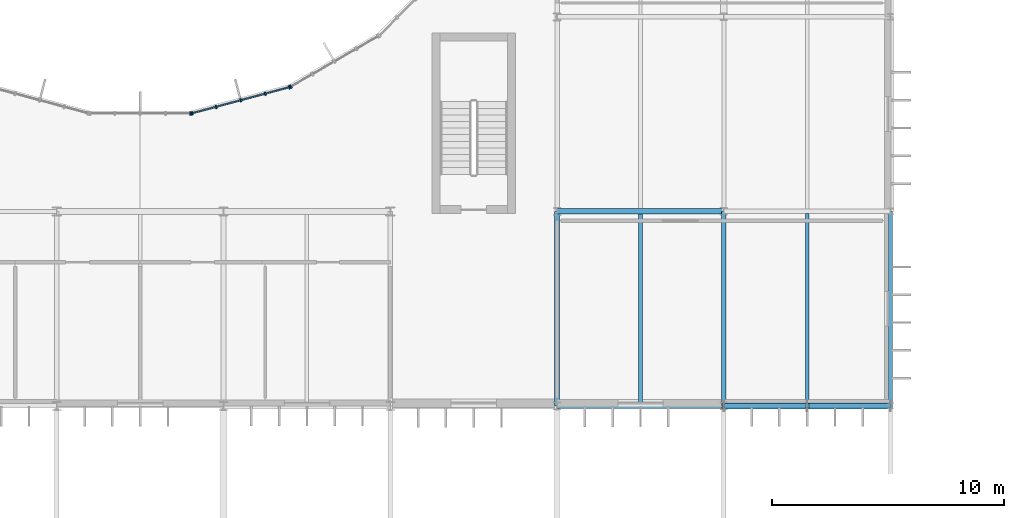
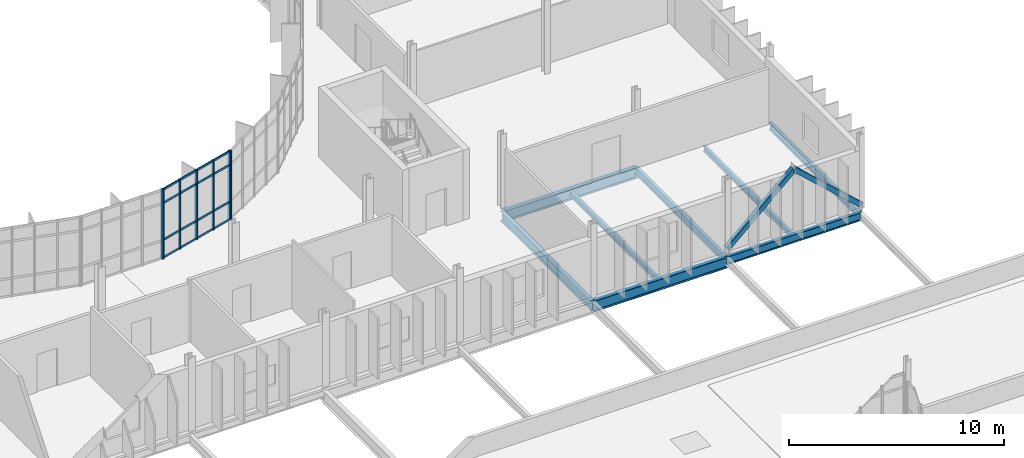
# One storey, part 62 of 119: 13 members, 8 beams, 3 elements without a shape of their own.
"""IFC4 building model written with IfcOpenShell, lengths in metres."""

from ifc_helpers import new_model, si_unit, direction, frame, origin, origin_2d, place, context, subcontext, project, spatial, rectangle, hollow_rectangle, i_section, extrude, material, material_profile, profile_set, type_object, element, aggregate, save


model = new_model("IFC4")

# Units and contexts
model_context = context("Model", 3, precision=1e-05, world=origin(), true_north=direction((0.0, 1.0)))
body_context = subcontext(model_context, "Body", "Model", "MODEL_VIEW")
ifc_project = project(units=[si_unit("LENGTHUNIT", "METRE"), si_unit("AREAUNIT", "SQUARE_METRE"), si_unit("VOLUMEUNIT", "CUBIC_METRE"), si_unit("PLANEANGLEUNIT", "RADIAN"), si_unit("MASSUNIT", "GRAM", prefix="KILO")], contexts=[model_context])

# Site, building, storey
site_placement = place(None, origin())
site = spatial("IfcSite", under=ifc_project, at=site_placement, CompositionType="ELEMENT")
building_placement = place(site_placement, origin())
building = spatial("IfcBuilding", under=site, at=building_placement, Name="Qelthora Terrace Specialist Clinic", CompositionType="ELEMENT")
storey_placement = place(building_placement, frame((0.0, 0.0, 4.800048828125)))
storey = spatial("IfcBuildingStorey", under=building, at=storey_placement, Name="L01", CompositionType="ELEMENT", Elevation=4.800048828125)

# Beams
ifc_material_1 = material(Name="Steel S355", Category="steel")
ifc_material_profile_1 = material_profile(ifc_material_1, i_section(OverallWidth=0.178955078125, OverallDepth=0.409912109375, WebThickness=0.0087890625, FlangeThickness=0.014404296875, FilletRadius=0.011962890625, at=origin_2d()), Name="W410X67")
ifc_profile_set_1 = profile_set([ifc_material_profile_1], Name="Steel S355")
beam_type_1 = type_object("IfcBeamType", Name="BM-W410X67", PredefinedType="BEAM", material=ifc_profile_set_1)
beam_1_placement = place(storey_placement, frame((158.39990234375, 33.60009765625, -0.455078125), z_axis=(0.0, 1.0, 0.0), x_axis=(-1.0, 0.0, 0.0)))
element("IfcBeam", 1, at=beam_1_placement, inside=storey, type_object=beam_type_1, Name="Girder BMY-L01-0540", PredefinedType="BEAM", context=body_context, shape_type="SweptSolid", body=[
    extrude(i_section(OverallWidth=0.178955078125, OverallDepth=0.409912109375, WebThickness=0.0087890625, FlangeThickness=0.014404296875, FilletRadius=0.011962890625, at=origin_2d()), origin(), (0.0, 0.0, 1.0), 8.39990234375),
])
ifc_material_profile_2 = material_profile(ifc_material_1, i_section(OverallWidth=0.179931640625, OverallDepth=0.4130859375, WebThickness=0.009765625, FlangeThickness=0.01611328125, FilletRadius=0.011962890625, at=origin_2d()), Name="W410X75")
ifc_profile_set_2 = profile_set([ifc_material_profile_2], Name="Steel S355")
beam_type_2 = type_object("IfcBeamType", Name="BM-W410X75", PredefinedType="BEAM", material=ifc_profile_set_2)
beam_2_placement = place(storey_placement, frame((151.199951171875, 33.60009765625, -0.45654296875), z_axis=(0.0, 1.0, 0.0), x_axis=(-1.0, 0.0, 0.0)))
element("IfcBeam", 2, at=beam_2_placement, inside=storey, type_object=beam_type_2, Name="Girder BMY-L01-0529", PredefinedType="BEAM", context=body_context, shape_type="SweptSolid", body=[
    extrude(i_section(OverallWidth=0.179931640625, OverallDepth=0.4130859375, WebThickness=0.009765625, FlangeThickness=0.01611328125, FilletRadius=0.011962890625, at=origin_2d()), origin(), (0.0, 0.0, 1.0), 8.39990234375),
])
ifc_material_profile_3 = material_profile(ifc_material_1, i_section(OverallWidth=0.2099609375, OverallDepth=0.537109375, WebThickness=0.010986328125, FlangeThickness=0.017333984375, FilletRadius=0.013916015625, at=origin_2d()), Name="W530X101")
ifc_profile_set_3 = profile_set([ifc_material_profile_3], Name="Steel S355")
beam_type_3 = type_object("IfcBeamType", Name="BM-W530X101", PredefinedType="BEAM", material=ifc_profile_set_3)
beam_3_placement = place(storey_placement, frame((144.0, 33.60009765625, -0.5185546875), z_axis=(0.0, 1.0, 0.0), x_axis=(-1.0, 0.0, 0.0)))
element("IfcBeam", 3, at=beam_3_placement, inside=storey, type_object=beam_type_3, Name="Girder BMY-L01-0516", PredefinedType="BEAM", context=body_context, shape_type="SweptSolid", body=[
    extrude(i_section(OverallWidth=0.2099609375, OverallDepth=0.537109375, WebThickness=0.010986328125, FlangeThickness=0.017333984375, FilletRadius=0.013916015625, at=origin_2d()), origin(), (0.0, 0.0, 1.0), 8.39990234375),
])
ifc_material_profile_4 = material_profile(ifc_material_1, i_section(OverallWidth=0.22998046875, OverallDepth=0.616943359375, WebThickness=0.01318359375, FlangeThickness=0.022216796875, FilletRadius=0.01611328125, at=origin_2d()), Name="W610X140")
ifc_profile_set_4 = profile_set([ifc_material_profile_4], Name="Steel S355")
beam_type_4 = type_object("IfcBeamType", Name="BM-W610X140", PredefinedType="BEAM", material=ifc_profile_set_4)
for number, where, z_axis, x_axis, name in (
    (4, (144.0, 33.60009765625, -0.55859375), (1.0, 0.0, 0.0), (0.0, 1.0, 0.0), "Girder BMX-L01-0213"),
    (5, (144.0, 42.0, -0.55859375), (1.0, 0.0, 0.0), (0.0, 1.0, 0.0), "Girder BMX-L01-0227"),
):
    element("IfcBeam", number, at=place(storey_placement, frame(where, z_axis=z_axis, x_axis=x_axis)), inside=storey, type_object=beam_type_4, Name=name, PredefinedType="BEAM", context=body_context, shape_type="SweptSolid", body=[
        extrude(i_section(OverallWidth=0.22998046875, OverallDepth=0.616943359375, WebThickness=0.01318359375, FlangeThickness=0.022216796875, FilletRadius=0.01611328125, at=origin_2d()), origin(), (0.0, 0.0, 1.0), 7.199951171875),
    ])

# Curtain wall, member
ifc_material_2 = material(Name="Aluminium anodized bronze", Category="aluminium")
curtain_wall_type = type_object("IfcCurtainWallType", Name="CW-CRTE-UPP", PredefinedType="NOTDEFINED", material=ifc_material_2)
curtain_wall_1_placement = place(storey_placement, origin())
curtain_wall_1 = element("IfcCurtainWall", 6, at=curtain_wall_1_placement, inside=storey, type_object=curtain_wall_type, Name="Curtain wall CW-CE-L01-18", PredefinedType="NOTDEFINED")
ifc_material_profile_5 = material_profile(ifc_material_2, rectangle(XDim=0.06005859375, YDim=0.14990234375, at=origin_2d()), Name="CWM60X150")
ifc_profile_set_5 = profile_set([ifc_material_profile_5], Name="Aluminium anodized bronze")
member_type_1 = type_object("IfcMemberType", Name="CWM-60X150", PredefinedType="MULLION", material=ifc_profile_set_5)
member_1_placement = place(storey_placement, frame((128.1728515625, 46.2236328125, 0.0), z_axis=(0.0, 0.0, 1.0), x_axis=(1.0, 0.0, 0.0)))
member_1 = element("IfcMember", 7, at=member_1_placement, type_object=member_type_1, Name="CW-CE-L01-18 mullion 5", PredefinedType="MULLION", context=body_context, shape_type="SweptSolid", body=[
    extrude(rectangle(XDim=0.06005859375, YDim=0.14990234375, at=origin_2d()), origin(), (0.0, 0.0, 1.0), 3.945068359375),
])
aggregate(curtain_wall_1, [member_1])

# Curtain wall, members
curtain_wall_2_placement = place(storey_placement, origin())
curtain_wall_2 = element("IfcCurtainWall", 8, at=curtain_wall_2_placement, inside=storey, type_object=curtain_wall_type, Name="Curtain wall CW-CE-L01-19", PredefinedType="NOTDEFINED")
member_2_placement = place(storey_placement, frame((128.2431640625, 46.23291015625, 0.0), z_axis=(0.0, 0.0, 1.0), x_axis=(0.965925660235, 0.258819664824, 0.0)))
member_2 = element("IfcMember", 9, at=member_2_placement, type_object=member_type_1, Name="CW-CE-L01-19 mullion 1", PredefinedType="MULLION", context=body_context, shape_type="SweptSolid", body=[
    extrude(rectangle(XDim=0.06005859375, YDim=0.14990234375, at=origin_2d()), origin(), (0.0, 0.0, 1.0), 3.945068359375),
])
member_3_placement = place(storey_placement, frame((129.282958984375, 46.511474609375, 0.0), z_axis=(0.0, 0.0, 1.0), x_axis=(0.965925660235, 0.258819664824, 0.0)))
member_3 = element("IfcMember", 10, at=member_3_placement, type_object=member_type_1, Name="CW-CE-L01-19 mullion 2", PredefinedType="MULLION", context=body_context, shape_type="SweptSolid", body=[
    extrude(rectangle(XDim=0.06005859375, YDim=0.14990234375, at=origin_2d()), origin(), (0.0, 0.0, 1.0), 3.945068359375),
])
member_4_placement = place(storey_placement, frame((130.342041015625, 46.79541015625, 0.0), z_axis=(0.0, 0.0, 1.0), x_axis=(0.965925660235, 0.258819664824, 0.0)))
member_4 = element("IfcMember", 11, at=member_4_placement, type_object=member_type_1, Name="CW-CE-L01-19 mullion 3", PredefinedType="MULLION", context=body_context, shape_type="SweptSolid", body=[
    extrude(rectangle(XDim=0.06005859375, YDim=0.14990234375, at=origin_2d()), origin(), (0.0, 0.0, 1.0), 3.945068359375),
])
member_5_placement = place(storey_placement, frame((131.401123046875, 47.0791015625, 0.0), z_axis=(0.0, 0.0, 1.0), x_axis=(0.965925660235, 0.258819664824, 0.0)))
member_5 = element("IfcMember", 12, at=member_5_placement, type_object=member_type_1, Name="CW-CE-L01-19 mullion 4", PredefinedType="MULLION", context=body_context, shape_type="SweptSolid", body=[
    extrude(rectangle(XDim=0.06005859375, YDim=0.14990234375, at=origin_2d()), origin(), (0.0, 0.0, 1.0), 3.945068359375),
])
member_6_placement = place(storey_placement, frame((132.44091796875, 47.357666015625, 0.0), z_axis=(0.0, 0.0, 1.0), x_axis=(0.965925660235, 0.258819664824, 0.0)))
member_6 = element("IfcMember", 13, at=member_6_placement, type_object=member_type_1, Name="CW-CE-L01-19 mullion 5", PredefinedType="MULLION", context=body_context, shape_type="SweptSolid", body=[
    extrude(rectangle(XDim=0.06005859375, YDim=0.14990234375, at=origin_2d()), origin(), (0.0, 0.0, 1.0), 3.945068359375),
])

# Curtain wall, member
curtain_wall_3_placement = place(storey_placement, origin())
curtain_wall_3 = element("IfcCurtainWall", 14, at=curtain_wall_3_placement, inside=storey, type_object=curtain_wall_type, Name="Curtain wall CW-CE-L01-20", PredefinedType="NOTDEFINED")
member_7_placement = place(storey_placement, frame((132.50634765625, 47.385009765625, 0.0), z_axis=(0.0, 0.0, 1.0), x_axis=(0.86602538709, 0.500000028915, 0.0)))
member_7 = element("IfcMember", 15, at=member_7_placement, type_object=member_type_1, Name="CW-CE-L01-20 mullion 1", PredefinedType="MULLION", context=body_context, shape_type="SweptSolid", body=[
    extrude(rectangle(XDim=0.06005859375, YDim=0.14990234375, at=origin_2d()), origin(), (0.0, 0.0, 1.0), 3.945068359375),
])
aggregate(curtain_wall_3, [member_7])

# Member
ifc_material_profile_6 = material_profile(ifc_material_2, rectangle(XDim=0.06005859375, YDim=0.110107421875, at=origin_2d()), Name="CWT60X110")
ifc_profile_set_6 = profile_set([ifc_material_profile_6], Name="Aluminium anodized bronze")
member_type_2 = type_object("IfcMemberType", Name="CWT-60X110", PredefinedType="USERDEFINED", material=ifc_profile_set_6)
member_8_placement = place(storey_placement, frame((128.262451171875, 46.23828125, 0.0400390625), z_axis=(0.965933119212, 0.25879182601, 0.0), x_axis=(-0.25879182601, 0.965933119212, 0.0)))
member_8 = element("IfcMember", 16, at=member_8_placement, type_object=member_type_2, Name="CW-CE-L01-19 transom 1", ObjectType="TRANSOM", PredefinedType="USERDEFINED", context=body_context, shape_type="SweptSolid", body=[
    extrude(rectangle(XDim=0.06005859375, YDim=0.110107421875, at=origin_2d()), origin(), (0.0, 0.0, 1.0), 4.3056640625),
])

member_9_placement = place(storey_placement, frame((128.262451171875, 46.23828125, 1.050048828125), z_axis=(0.965933119212, 0.25879182601, 0.0), x_axis=(-0.25879182601, 0.965933119212, 0.0)))
member_9 = element("IfcMember", 17, at=member_9_placement, type_object=member_type_2, Name="CW-CE-L01-19 transom 2", ObjectType="TRANSOM", PredefinedType="USERDEFINED", context=body_context, shape_type="SweptSolid", body=[
    extrude(rectangle(XDim=0.06005859375, YDim=0.110107421875, at=origin_2d()), origin(), (0.0, 0.0, 1.0), 4.3056640625),
])

member_10_placement = place(storey_placement, frame((128.262451171875, 46.23828125, 3.14501953125), z_axis=(0.965933119212, 0.25879182601, 0.0), x_axis=(-0.25879182601, 0.965933119212, 0.0)))
member_10 = element("IfcMember", 18, at=member_10_placement, type_object=member_type_2, Name="CW-CE-L01-19 transom 3", ObjectType="TRANSOM", PredefinedType="USERDEFINED", context=body_context, shape_type="SweptSolid", body=[
    extrude(rectangle(XDim=0.06005859375, YDim=0.110107421875, at=origin_2d()), origin(), (0.0, 0.0, 1.0), 4.3056640625),
])

member_11_placement = place(storey_placement, frame((128.262451171875, 46.23828125, 3.905029296875), z_axis=(0.965933119212, 0.25879182601, 0.0), x_axis=(-0.25879182601, 0.965933119212, 0.0)))
member_11 = element("IfcMember", 19, at=member_11_placement, type_object=member_type_2, Name="CW-CE-L01-19 transom 4", ObjectType="TRANSOM", PredefinedType="USERDEFINED", context=body_context, shape_type="SweptSolid", body=[
    extrude(rectangle(XDim=0.06005859375, YDim=0.110107421875, at=origin_2d()), origin(), (0.0, 0.0, 1.0), 4.3056640625),
])

aggregate(curtain_wall_2, [member_2, member_3, member_4, member_5, member_6, member_8, member_9, member_10, member_11])

# Beams
ifc_material_profile_7 = material_profile(ifc_material_1, i_section(OverallWidth=0.1669921875, OverallDepth=0.31689453125, WebThickness=0.007568359375, FlangeThickness=0.01318359375, FilletRadius=0.010009765625, at=origin_2d()), Name="W310X52")
ifc_profile_set_7 = profile_set([ifc_material_profile_7], Name="Steel S355")
beam_type_5 = type_object("IfcBeamType", Name="JST-W310X52", PredefinedType="JOIST", material=ifc_profile_set_7)
beam_4_placement = place(storey_placement, frame((147.60009765625, 33.715087890625, -0.408447265625), z_axis=(0.0, 1.0, 0.0), x_axis=(-1.0, 0.0, 0.0)))
element("IfcBeam", 20, at=beam_4_placement, inside=storey, type_object=beam_type_5, Name="Composite floor joist JST-L01-0135", PredefinedType="JOIST", context=body_context, shape_type="SweptSolid", body=[
    extrude(i_section(OverallWidth=0.1669921875, OverallDepth=0.31689453125, WebThickness=0.007568359375, FlangeThickness=0.01318359375, FilletRadius=0.010009765625, at=origin_2d()), origin(), (0.0, 0.0, 1.0), 8.169921875),
])
beam_5_placement = place(storey_placement, frame((154.800048828125, 33.695556640625, -0.408447265625), z_axis=(0.0, 1.0, 0.0), x_axis=(-1.0, 0.0, 0.0)))
element("IfcBeam", 21, at=beam_5_placement, inside=storey, type_object=beam_type_5, Name="Composite floor joist JST-L01-0141", PredefinedType="JOIST", context=body_context, shape_type="SweptSolid", body=[
    extrude(i_section(OverallWidth=0.1669921875, OverallDepth=0.31689453125, WebThickness=0.007568359375, FlangeThickness=0.01318359375, FilletRadius=0.010009765625, at=origin_2d()), origin(), (0.0, 0.0, 1.0), 8.208984375),
])

# Members
ifc_material_profile_8 = material_profile(ifc_material_1, hollow_rectangle(XDim=0.25, YDim=0.25, WallThickness=0.010009765625, at=origin_2d()), Name="HSS250X250X10")
ifc_profile_set_8 = profile_set([ifc_material_profile_8], Name="Steel S355")
member_type_3 = type_object("IfcMemberType", Name="MEM-BRACE-HSS250", PredefinedType="BRACE", material=ifc_profile_set_8)
member_12_placement = place(storey_placement, frame((151.199951171875, 33.60009765625, 0.179931640625), z_axis=(0.740226205678, 0.0, 0.672357913933), x_axis=(0.0, 1.0, 0.0)))
element("IfcMember", 22, at=member_12_placement, inside=storey, type_object=member_type_3, Name="Concentric seismic chevron brace B3-L01A", PredefinedType="BRACE", context=body_context, shape_type="SweptSolid", body=[
    extrude(hollow_rectangle(XDim=0.25, YDim=0.25, WallThickness=0.010009765625, at=origin_2d()), origin(), (0.0, 0.0, 1.0), 4.863525390625),
])
member_13_placement = place(storey_placement, frame((158.39990234375, 33.60009765625, 0.179931640625), z_axis=(-0.740203511447, 0.0, 0.672382898089), x_axis=(0.0, -1.0, 0.0)))
element("IfcMember", 23, at=member_13_placement, inside=storey, type_object=member_type_3, Name="Concentric seismic chevron brace B3-L01B", PredefinedType="BRACE", context=body_context, shape_type="SweptSolid", body=[
    extrude(hollow_rectangle(XDim=0.25, YDim=0.25, WallThickness=0.010009765625, at=origin_2d()), origin(), (0.0, 0.0, 1.0), 4.86328125),
])

# Beam
ifc_material_profile_9 = material_profile(ifc_material_1, i_section(OverallWidth=0.19091796875, OverallDepth=0.4599609375, WebThickness=0.010009765625, FlangeThickness=0.01611328125, FilletRadius=0.012939453125, at=origin_2d()), Name="W460X82")
ifc_profile_set_9 = profile_set([ifc_material_profile_9], Name="Steel S355")
beam_type_6 = type_object("IfcBeamType", Name="SPD-W460X82", PredefinedType="SPANDREL", material=ifc_profile_set_9)
beam_6_placement = place(storey_placement, frame((151.199951171875, 33.60009765625, -0.47998046875), z_axis=(1.0, 0.0, 0.0), x_axis=(0.0, 1.0, 0.0)))
element("IfcBeam", 24, at=beam_6_placement, inside=storey, type_object=beam_type_6, Name="Girder BMX-L01-0214", PredefinedType="SPANDREL", context=body_context, shape_type="SweptSolid", body=[
    extrude(i_section(OverallWidth=0.19091796875, OverallDepth=0.4599609375, WebThickness=0.010009765625, FlangeThickness=0.01611328125, FilletRadius=0.012939453125, at=origin_2d()), origin(), (0.0, 0.0, 1.0), 7.199951171875),
])

save(model, "model.ifc")
